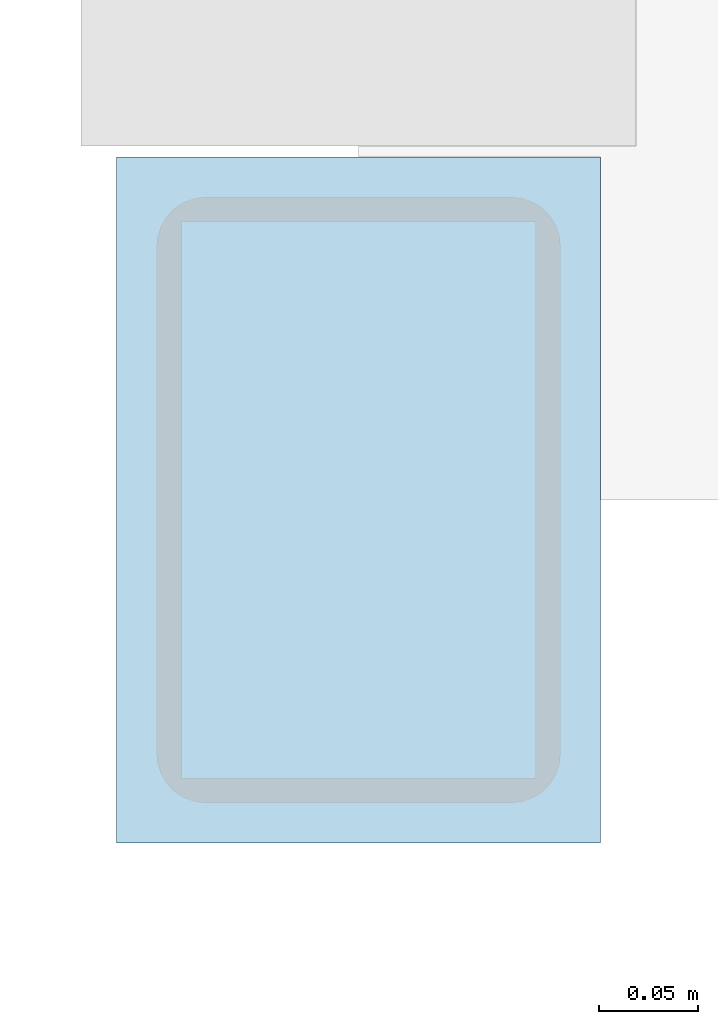
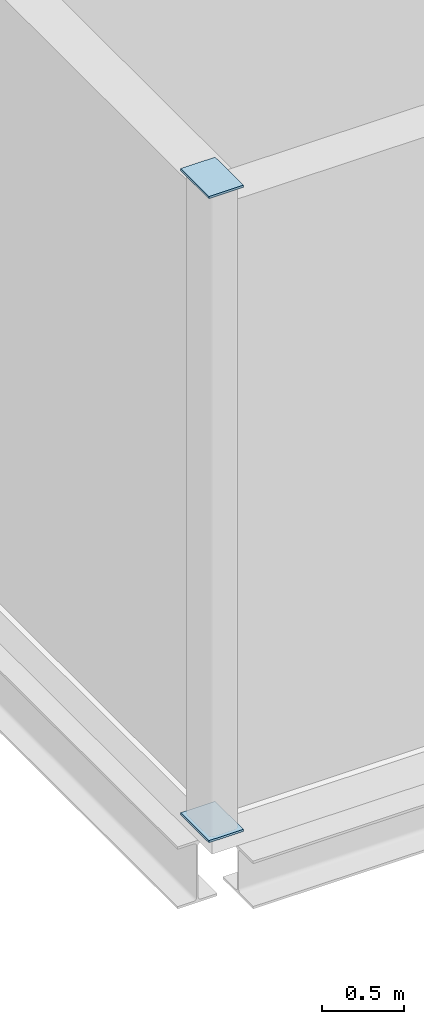
# One storey, part 43 of 72: 2 plates.
"""IFC4 building model written with IfcOpenShell, lengths in metres."""

import ifcopenshell
import ifcopenshell.guid

model = None  # the IFC model being written
_history = None  # IfcOwnerHistory: only IFC2X3 demands one
_inside = {}  # id of a spatial element -> (the spatial element, [elements in it])
_under = {}  # id of a project, library or spatial element -> (it, [spatial elements below it])
_declared = {}  # id of a project -> (the project, [libraries it declares])
_typed = {}  # id of a type object -> (the type object, [elements of that type])
_made_of = {}  # id of a material, layer set ... -> (it, [elements and type objects made of it])


def new_model(schema):
    """Start an empty IFC model of exactly this schema.

    Asked for "IFC4X3", IfcOpenShell would pick the latest addendum, in which some entities
    have other attributes; the version numbers below select the first issue.
    IFC2X3 requires an IfcOwnerHistory on every rooted entity: one is made here for all.
    """
    global model, _history
    if schema == "IFC4X3":
        model = ifcopenshell.file(schema_version=(4, 3, 0, 0))
    else:
        model = ifcopenshell.file(schema=schema)
    _inside.clear()
    _under.clear()
    _declared.clear()
    _typed.clear()
    _made_of.clear()
    _history = None
    if model.schema == "IFC2X3":
        org = make("IfcOrganization", Name="unknown")
        user = make(
            "IfcPersonAndOrganization",
            ThePerson=make("IfcPerson", FamilyName="unknown"),
            TheOrganization=org,
        )
        app = make(
            "IfcApplication",
            ApplicationDeveloper=org,
            Version="unknown",
            ApplicationFullName="unknown",
            ApplicationIdentifier="unknown",
        )
        _history = make(
            "IfcOwnerHistory",
            OwningUser=user,
            OwningApplication=app,
            ChangeAction="ADDED",
            CreationDate=0,
        )
    return model


def make(cls, **values):
    """One entity of the class cls with the attributes given. An attribute that is None is left unset."""
    return model.create_entity(
        cls, **{name: value for name, value in values.items() if value is not None}
    )


def rooted(cls, **values):
    """An entity with a GlobalId (a new one), such as an element, a storey or a relation."""
    return make(cls, GlobalId=ifcopenshell.guid.new(), OwnerHistory=_history, **values)


def si_unit(unit_type, name, prefix=None):
    """IfcSIUnit, for example si_unit("LENGTHUNIT", "METRE", prefix="MILLI")."""
    return make("IfcSIUnit", UnitType=unit_type, Prefix=prefix, Name=name)


def assignment(units):
    """IfcUnitAssignment: the units of a project."""
    return None if units is None else make("IfcUnitAssignment", Units=units)


def point(xyz):
    """IfcCartesianPoint."""
    return None if xyz is None else make("IfcCartesianPoint", Coordinates=xyz)


def direction(xyz):
    """IfcDirection."""
    return None if xyz is None else make("IfcDirection", DirectionRatios=xyz)


def frame(location, z_axis=None, x_axis=None):
    """IfcAxis2Placement3D, a coordinate frame: its origin and axes. An axis left out is left unset."""
    return make(
        "IfcAxis2Placement3D",
        Location=point(location),
        Axis=direction(z_axis),
        RefDirection=direction(x_axis),
    )


def frame_2d(location, x_axis=None):
    """IfcAxis2Placement2D, a coordinate frame in the plane: its origin and x axis."""
    return make(
        "IfcAxis2Placement2D", Location=point(location), RefDirection=direction(x_axis)
    )


def origin():
    """The frame at (0, 0, 0) with its axes left unset."""
    return frame((0.0, 0.0, 0.0))


def origin_2d():
    """The frame at (0, 0) in the plane with its x axis left unset."""
    return frame_2d((0.0, 0.0))


def place(relative_to, where):
    """IfcLocalPlacement: puts the frame where relative to a parent placement (None: the world)."""
    return make(
        "IfcLocalPlacement", PlacementRelTo=relative_to, RelativePlacement=where
    )


def context(
    kind, dimensions, precision=None, world=None, true_north=None, identifier=None
):
    """IfcGeometricRepresentationContext, for example the 3D "Model" context."""
    return make(
        "IfcGeometricRepresentationContext",
        ContextIdentifier=identifier,
        ContextType=kind,
        CoordinateSpaceDimension=dimensions,
        Precision=precision,
        WorldCoordinateSystem=world,
        TrueNorth=true_north,
    )


def subcontext(parent, identifier, kind, view, scale=None):
    """IfcGeometricRepresentationSubContext, for example "Body" below "Model"."""
    return make(
        "IfcGeometricRepresentationSubContext",
        ContextIdentifier=identifier,
        ContextType=kind,
        ParentContext=parent,
        TargetScale=scale,
        TargetView=view,
    )


def project(units=None, contexts=None):
    """IfcProject with its units and contexts."""
    return rooted(
        "IfcProject",
        Name="project",
        RepresentationContexts=contexts,
        UnitsInContext=assignment(units),
    )


def spatial(cls, under=None, at=None, **own):
    """A site, building, storey or space (cls), placed at a placement, below another one or the project."""
    s = rooted(cls, ObjectPlacement=at, **own)
    if under is not None:
        _under.setdefault(under.id(), (under, []))[1].append(s)
    return s


def profile(cls, at=None, kind="AREA", **sizes):
    """A parametric profile (cls). Its sizes go by their IFC names, for example OverallWidth=200.0."""
    return make(cls, ProfileType=kind, Position=at, **sizes)


def rectangle(**sizes):
    """IfcRectangleProfileDef."""
    return profile("IfcRectangleProfileDef", **sizes)


def extrude(swept, where, along, depth):
    """IfcExtrudedAreaSolid: the profile swept, set in the frame where, extruded along a direction by depth."""
    return make(
        "IfcExtrudedAreaSolid",
        SweptArea=swept,
        Position=where,
        ExtrudedDirection=direction(along),
        Depth=depth,
    )


def shape(context_of_items, identifier, shape_type, items):
    """IfcShapeRepresentation: the items that make up one representation, for example the "Body"."""
    return make(
        "IfcShapeRepresentation",
        ContextOfItems=context_of_items,
        RepresentationIdentifier=identifier,
        RepresentationType=shape_type,
        Items=items,
    )


def material(Name=None, Category=None):
    """IfcMaterial."""
    return make("IfcMaterial", Name=Name, Category=Category)


def layer(
    of_material, thickness, ventilated=None, Name=None, Category=None, Priority=None
):
    """IfcMaterialLayer: one layer of a wall or slab, of a material (None: an air gap)."""
    return make(
        "IfcMaterialLayer",
        Material=of_material,
        LayerThickness=thickness,
        IsVentilated=ventilated,
        Name=Name,
        Category=Category,
        Priority=Priority,
    )


def layer_set(layers, Name=None):
    """IfcMaterialLayerSet."""
    return make("IfcMaterialLayerSet", MaterialLayers=layers, LayerSetName=Name)


def made_of(thing, what):
    """Note that an element or type object is made of a material, layer set ...; save() writes the relation."""
    if what is not None:
        _made_of.setdefault(what.id(), (what, []))[1].append(thing)
    return thing


def type_object(cls, material=None, **own):
    """A type object (cls), such as IfcWallType, which elements share."""
    return made_of(rooted(cls, **own), material)


def element(
    cls,
    number,
    at=None,
    inside=None,
    cuts=None,
    type_object=None,
    material=None,
    context=None,
    identifier="Body",
    shape_type=None,
    held_by="IfcProductDefinitionShape",
    body=None,
    shapes=None,
    **own,
):
    """One element of the class cls, such as IfcWall. Its Tag is "e" and its number.

    at: its placement. inside: the storey or other place that contains it. cuts: it is an
    opening in that element (IfcRelVoidsElement). A single representation is given by context,
    identifier, shape_type and body (its items); several are given by shapes. held_by: the class
    of the entity that holds the representations. save() writes the other relations.
    """
    e = rooted(cls, Tag="e%d" % number, ObjectPlacement=at, **own)
    if body is not None:
        shapes = [shape(context, identifier, shape_type, body)]
    if shapes is not None:
        e.Representation = make(held_by, Representations=shapes)
    if inside is not None:
        _inside.setdefault(inside.id(), (inside, []))[1].append(e)
    if cuts is not None:
        rooted(
            "IfcRelVoidsElement", RelatingBuildingElement=cuts, RelatedOpeningElement=e
        )
    if type_object is not None:
        _typed.setdefault(type_object.id(), (type_object, []))[1].append(e)
    return made_of(e, material)


def aggregate(whole, parts):
    """IfcRelAggregates: a whole, such as a stair, and the parts it consists of."""
    return rooted("IfcRelAggregates", RelatingObject=whole, RelatedObjects=parts)


def save(model, path):
    """Write the relations noted so far, then the file.

    IfcRelAggregates (storeys below a building ...), IfcRelContainedInSpatialStructure (elements
    in a storey), IfcRelDefinesByType, IfcRelAssociatesMaterial and IfcRelDeclares: one each for
    every whole, place, type object, material and project.
    """
    for whole, parts in _under.values():
        aggregate(whole, parts)
    for where, things in _inside.values():
        rooted(
            "IfcRelContainedInSpatialStructure",
            RelatedElements=things,
            RelatingStructure=where,
        )
    for kind, things in _typed.values():
        rooted("IfcRelDefinesByType", RelatedObjects=things, RelatingType=kind)
    for what, things in _made_of.values():
        rooted("IfcRelAssociatesMaterial", RelatedObjects=things, RelatingMaterial=what)
    for by, libraries in _declared.values():
        rooted("IfcRelDeclares", RelatingContext=by, RelatedDefinitions=libraries)
    model.write(path)


model = new_model("IFC4")

# Units and contexts
model_context = context("Model", 3, precision=1e-05, world=origin(), true_north=direction((0.0, 1.0)))
body_context = subcontext(model_context, "Body", "Model", "MODEL_VIEW")
ifc_project = project(units=[si_unit("LENGTHUNIT", "METRE"), si_unit("AREAUNIT", "SQUARE_METRE"), si_unit("VOLUMEUNIT", "CUBIC_METRE"), si_unit("PLANEANGLEUNIT", "RADIAN"), si_unit("MASSUNIT", "GRAM", prefix="KILO")], contexts=[model_context])

# Site, building, storey
site_placement = place(None, origin())
site = spatial("IfcSite", under=ifc_project, at=site_placement, CompositionType="ELEMENT")
building_placement = place(site_placement, origin())
building = spatial("IfcBuilding", under=site, at=building_placement, Name="Calvrana Isthmian Art Gallery", CompositionType="ELEMENT")
storey_placement = place(building_placement, frame((0.0, 0.0, 15.0)))
storey = spatial("IfcBuildingStorey", under=building, at=storey_placement, Name="L03", CompositionType="ELEMENT", Elevation=15.0)

# Plates
ifc_material = material(Name="Steel ASTM A572 Gr 50", Category="steel")
ifc_layer = layer(ifc_material, 0.01611328125, Name="Steel ASTM A572 Gr 50")
ifc_layer_set = layer_set([ifc_layer], Name="Steel ASTM A572 Gr 50")
plate_type = type_object("IfcPlateType", Name="PL-CAP-16", PredefinedType="SHEET", material=ifc_layer_set)
for number, where, z_axis, x_axis, name in (
    (1, (104.39990234375, 76.800048828125, -0.008056640625), (0.0, 0.0, 1.0), (1.0, 0.0, 0.0), "Hollow section end cap plate 247"),
    (2, (104.39990234375, 76.800048828125, 4.7919921875), (0.0, 0.0, 1.0), (1.0, 0.0, 0.0), "Hollow section end cap plate 248"),
):
    element("IfcPlate", number, at=place(storey_placement, frame(where, z_axis=z_axis, x_axis=x_axis)), inside=storey, type_object=plate_type, Name=name, PredefinedType="SHEET", context=body_context, shape_type="SweptSolid", body=[
        extrude(rectangle(XDim=0.2431640625, YDim=0.3447265625, at=origin_2d()), origin(), (0.0, 0.0, 1.0), 0.01611328125),
    ])

save(model, "model.ifc")
